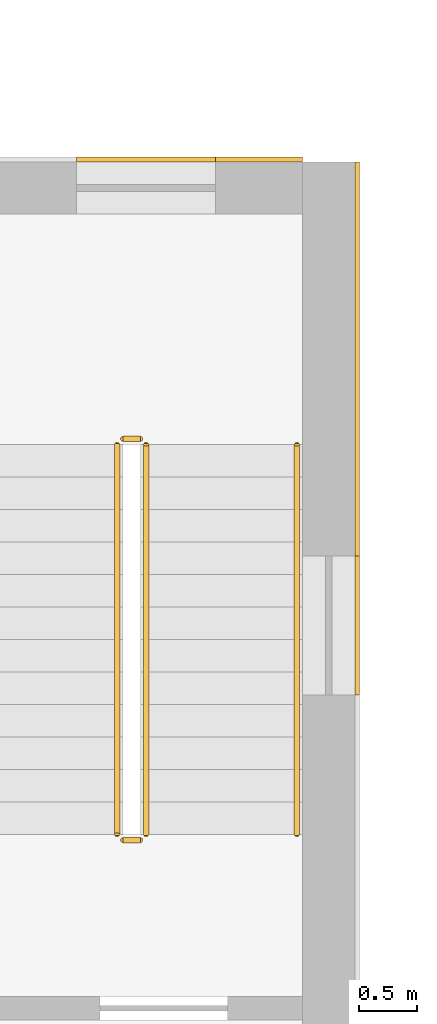
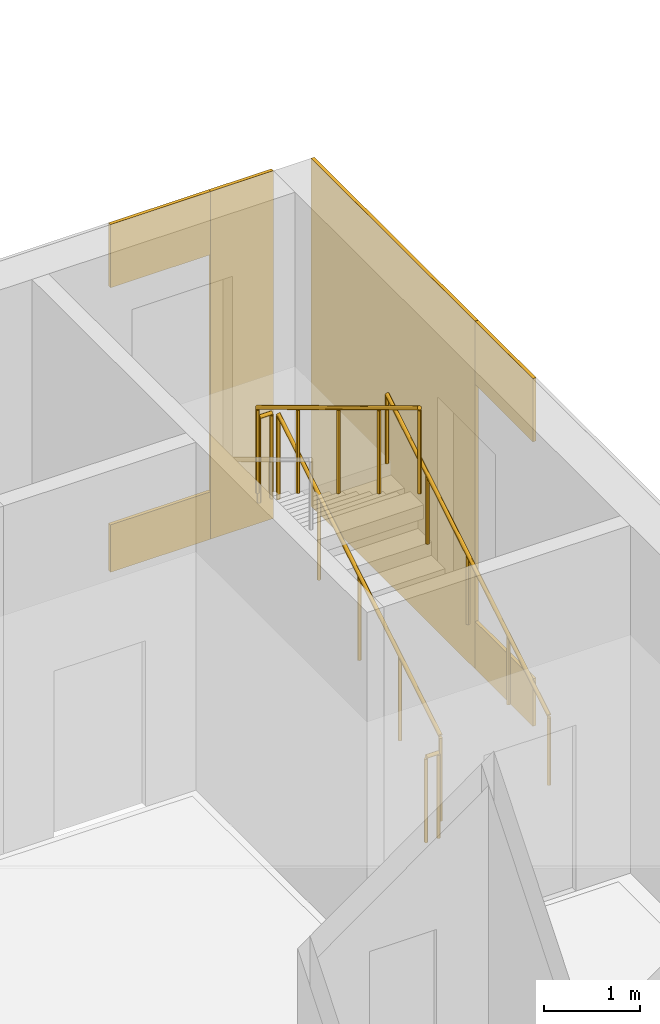
# One storey, part 91 of 95: 6 coverings, 5 railings.
"""IFC4 building model written with IfcOpenShell, lengths in metres."""

from ifc_helpers import new_model, si_unit, direction, frame, origin, origin_2d, place, context, subcontext, project, spatial, polyline, circle, outline, extrude, material, layer, layer_set, type_object, element, save


model = new_model("IFC4")

# Units and contexts
model_context = context("Model", 3, precision=1e-05, world=origin(), true_north=direction((0.0, 1.0)))
body_context = subcontext(model_context, "Body", "Model", "MODEL_VIEW")
ifc_project = project(units=[si_unit("LENGTHUNIT", "METRE"), si_unit("AREAUNIT", "SQUARE_METRE"), si_unit("VOLUMEUNIT", "CUBIC_METRE"), si_unit("PLANEANGLEUNIT", "RADIAN"), si_unit("MASSUNIT", "GRAM", prefix="KILO")], contexts=[model_context])

# Site, building, storey
site_placement = place(None, origin())
site = spatial("IfcSite", under=ifc_project, at=site_placement, CompositionType="ELEMENT")
building_placement = place(site_placement, origin())
building = spatial("IfcBuilding", under=site, at=building_placement, Name="Windward Yard Aquatics Centre", CompositionType="ELEMENT")
storey_placement = place(building_placement, frame((0.0, 0.0, 9.39990234375)))
storey = spatial("IfcBuildingStorey", under=building, at=storey_placement, Name="L02", CompositionType="ELEMENT", Elevation=9.39990234375)

# Railings
ifc_material_1 = material(Name="Stainless steel 1.4529", Category="steel")
railing_type_1 = type_object("IfcRailingType", Name="H Guard Steel 1100", PredefinedType="GUARDRAIL", material=ifc_material_1)
railing_1_placement = place(storey_placement, frame((150.199951171875, 90.199951171875, 0.16943359375)))
element("IfcRailing", 1, at=railing_1_placement, inside=storey, type_object=railing_type_1, Name="L02 ST4 stair guard 1", PredefinedType="GUARDRAIL", context=body_context, shape_type="SweptSolid", body=[
    extrude(circle(Radius=0.02392578125, at=origin_2d()), frame((0.0, 0.0, 1.076171875), z_axis=(0.0, 0.855836976705, 0.517245656632), x_axis=(-1.0, 0.0, 0.0)), (0.0, 0.0, 1.0), 3.926025390625),
    extrude(circle(Radius=0.02099609375, at=origin_2d()), origin(), (0.0, 0.0, 1.0), 1.052001953125),
    extrude(circle(Radius=0.02099609375, at=origin_2d()), frame((0.0, 0.840087890625, 0.5078125)), (0.0, 0.0, 1.0), 1.052001953125),
    extrude(circle(Radius=0.02099609375, at=origin_2d()), frame((0.0, 1.68017578125, 1.015380859375)), (0.0, 0.0, 1.0), 1.052001953125),
    extrude(circle(Radius=0.02099609375, at=origin_2d()), frame((0.0, 2.52001953125, 1.52294921875)), (0.0, 0.0, 1.0), 1.052001953125),
    extrude(circle(Radius=0.02099609375, at=origin_2d()), frame((0.0, 3.360107421875, 2.03076171875)), (0.0, 0.0, 1.0), 1.052001953125),
])
railing_2_placement = place(storey_placement, frame((150.14990234375, 93.610107421875, 2.2001953125)))
element("IfcRailing", 2, at=railing_2_placement, inside=storey, type_object=railing_type_1, Name="L02 ST4 stair guard 2", PredefinedType="GUARDRAIL", context=body_context, shape_type="SweptSolid", body=[
    extrude(circle(Radius=0.02392578125, at=origin_2d()), frame((0.0, 0.0, 1.076171875), z_axis=(-1.0, 0.0, 0.0), x_axis=(0.0, -1.0, 0.0)), (0.0, 0.0, 1.0), 0.14990234375),
    extrude(circle(Radius=0.02099609375, at=origin_2d()), origin(), (0.0, 0.0, 1.0), 1.052001953125),
    extrude(circle(Radius=0.02099609375, at=origin_2d()), frame((-0.14990234375, 0.0, 0.0)), (0.0, 0.0, 1.0), 1.052001953125),
])
railing_3_placement = place(storey_placement, frame((149.949951171875, 93.56005859375, 2.369384765625)))
element("IfcRailing", 3, at=railing_3_placement, inside=storey, type_object=railing_type_1, Name="L02 ST4 stair guard 3", PredefinedType="GUARDRAIL", context=body_context, shape_type="SweptSolid", body=[
    extrude(circle(Radius=0.02392578125, at=origin_2d()), frame((0.0, 0.0, 1.076171875), z_axis=(0.0, -0.855836976705, 0.517245656632), x_axis=(1.0, 0.0, 0.0)), (0.0, 0.0, 1.0), 3.926025390625),
    extrude(circle(Radius=0.02099609375, at=origin_2d()), origin(), (0.0, 0.0, 1.0), 1.052001953125),
    extrude(circle(Radius=0.02099609375, at=origin_2d()), frame((0.0, -0.840087890625, 0.5078125)), (0.0, 0.0, 1.0), 1.052001953125),
    extrude(circle(Radius=0.02099609375, at=origin_2d()), frame((0.0, -1.68017578125, 1.015380859375)), (0.0, 0.0, 1.0), 1.052001953125),
    extrude(circle(Radius=0.02099609375, at=origin_2d()), frame((0.0, -2.52001953125, 1.52294921875)), (0.0, 0.0, 1.0), 1.052001953125),
    extrude(circle(Radius=0.02099609375, at=origin_2d()), frame((0.0, -3.360107421875, 2.03076171875)), (0.0, 0.0, 1.0), 1.052001953125),
])
railing_4_placement = place(storey_placement, frame((150.14990234375, 90.14990234375, 0.0)))
element("IfcRailing", 4, at=railing_4_placement, inside=storey, type_object=railing_type_1, Name="L02 ST4 stair guard 4", PredefinedType="GUARDRAIL", context=body_context, shape_type="SweptSolid", body=[
    extrude(circle(Radius=0.02392578125, at=origin_2d()), frame((0.0, 0.0, 1.076171875), z_axis=(-1.0, 0.0, 0.0), x_axis=(0.0, -1.0, 0.0)), (0.0, 0.0, 1.0), 0.14990234375),
    extrude(circle(Radius=0.02099609375, at=origin_2d()), origin(), (0.0, 0.0, 1.0), 1.052001953125),
    extrude(circle(Radius=0.02099609375, at=origin_2d()), frame((-0.14990234375, 0.0, 0.0)), (0.0, 0.0, 1.0), 1.052001953125),
])
railing_type_2 = type_object("IfcRailingType", Name="H Handrail Steel 900", PredefinedType="HANDRAIL", material=ifc_material_1)
railing_5_placement = place(storey_placement, frame((151.5, 90.199951171875, 0.16943359375)))
element("IfcRailing", 5, at=railing_5_placement, inside=storey, type_object=railing_type_2, Name="L02 ST4 stair handrail 1", PredefinedType="HANDRAIL", context=body_context, shape_type="SweptSolid", body=[
    extrude(circle(Radius=0.02392578125, at=origin_2d()), frame((0.0, 0.0, 0.8759765625), z_axis=(0.0, 0.855836976705, 0.517245656632), x_axis=(-1.0, 0.0, 0.0)), (0.0, 0.0, 1.0), 3.926025390625),
    extrude(circle(Radius=0.02099609375, at=origin_2d()), origin(), (0.0, 0.0, 1.0), 0.851806640625),
    extrude(circle(Radius=0.02099609375, at=origin_2d()), frame((0.0, 0.840087890625, 0.5078125)), (0.0, 0.0, 1.0), 0.851806640625),
    extrude(circle(Radius=0.02099609375, at=origin_2d()), frame((0.0, 1.68017578125, 1.015380859375)), (0.0, 0.0, 1.0), 0.851806640625),
    extrude(circle(Radius=0.02099609375, at=origin_2d()), frame((0.0, 2.52001953125, 1.52294921875)), (0.0, 0.0, 1.0), 0.851806640625),
    extrude(circle(Radius=0.02099609375, at=origin_2d()), frame((0.0, 3.360107421875, 2.03076171875)), (0.0, 0.0, 1.0), 0.851806640625),
])

# Coverings
ifc_material_2 = material(Name="Natural limestone cladding", Category="masonry")
ifc_layer = layer(ifc_material_2, 0.0400390625)
ifc_layer_set = layer_set([ifc_layer], Name="H natural stone cladding 40")
covering_type = type_object("IfcCoveringType", Name="H natural stone cladding 40", PredefinedType="CLADDING", material=ifc_layer_set)
covering_1_placement = place(storey_placement, origin())
element("IfcCovering", 6, at=covering_1_placement, inside=storey, type_object=covering_type, Name="Stone cladding panel 22", PredefinedType="CLADDING", context=body_context, shape_type="SweptSolid", body=[
    extrude(outline(polyline([(152.0, 92.60009765625), (152.0400390625, 92.60009765625), (152.0400390625, 96.0), (152.0, 96.0), (152.0, 92.60009765625)])), origin(), (0.0, 0.0, 1.0), 4.400146484375),
])
covering_2_placement = place(storey_placement, origin())
element("IfcCovering", 7, at=covering_2_placement, inside=storey, type_object=covering_type, Name="Stone cladding panel 23", PredefinedType="CLADDING", context=body_context, shape_type="SweptSolid", body=[
    extrude(outline(polyline([(152.0, 91.39990234375), (152.0400390625, 91.39990234375), (152.0400390625, 92.60009765625), (152.0, 92.60009765625), (152.0, 91.39990234375)])), origin(), (0.0, 0.0, 1.0), 0.60009765625),
])
covering_3_placement = place(storey_placement, frame((0.0, 0.0, 3.60009765625)))
element("IfcCovering", 8, at=covering_3_placement, inside=storey, type_object=covering_type, Name="Stone cladding panel 24", PredefinedType="CLADDING", context=body_context, shape_type="SweptSolid", body=[
    extrude(outline(polyline([(152.0, 91.39990234375), (152.0400390625, 91.39990234375), (152.0400390625, 92.60009765625), (152.0, 92.60009765625), (152.0, 91.39990234375)])), origin(), (0.0, 0.0, 1.0), 0.800048828125),
])
covering_4_placement = place(storey_placement, origin())
element("IfcCovering", 9, at=covering_4_placement, inside=storey, type_object=covering_type, Name="Stone cladding panel 46", PredefinedType="CLADDING", context=body_context, shape_type="SweptSolid", body=[
    extrude(outline(polyline([(150.800048828125, 96.0), (150.800048828125, 96.0400390625), (151.550048828125, 96.0400390625), (151.550048828125, 96.0), (150.800048828125, 96.0)])), origin(), (0.0, 0.0, 1.0), 4.400146484375),
])
covering_5_placement = place(storey_placement, origin())
element("IfcCovering", 10, at=covering_5_placement, inside=storey, type_object=covering_type, Name="Stone cladding panel 47", PredefinedType="CLADDING", context=body_context, shape_type="SweptSolid", body=[
    extrude(outline(polyline([(149.60009765625, 96.0), (149.60009765625, 96.0400390625), (150.800048828125, 96.0400390625), (150.800048828125, 96.0), (149.60009765625, 96.0)])), origin(), (0.0, 0.0, 1.0), 0.60009765625),
])
covering_6_placement = place(storey_placement, frame((0.0, 0.0, 3.60009765625)))
element("IfcCovering", 11, at=covering_6_placement, inside=storey, type_object=covering_type, Name="Stone cladding panel 48", PredefinedType="CLADDING", context=body_context, shape_type="SweptSolid", body=[
    extrude(outline(polyline([(149.60009765625, 96.0), (149.60009765625, 96.0400390625), (150.800048828125, 96.0400390625), (150.800048828125, 96.0), (149.60009765625, 96.0)])), origin(), (0.0, 0.0, 1.0), 0.800048828125),
])

save(model, "model.ifc")
